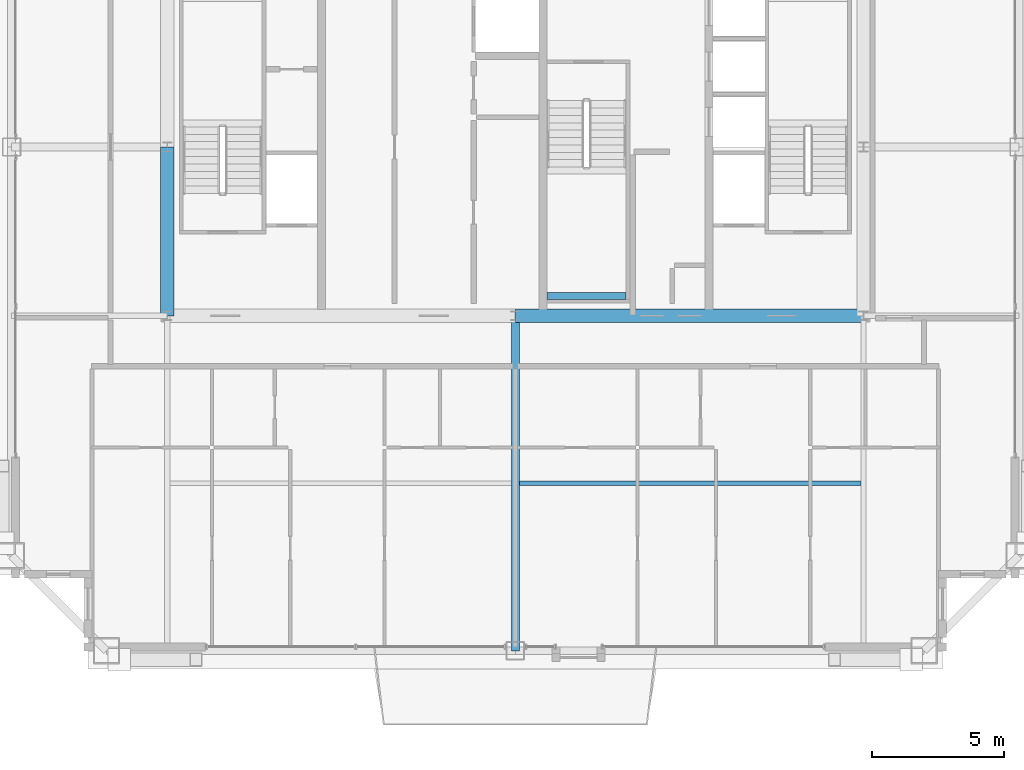
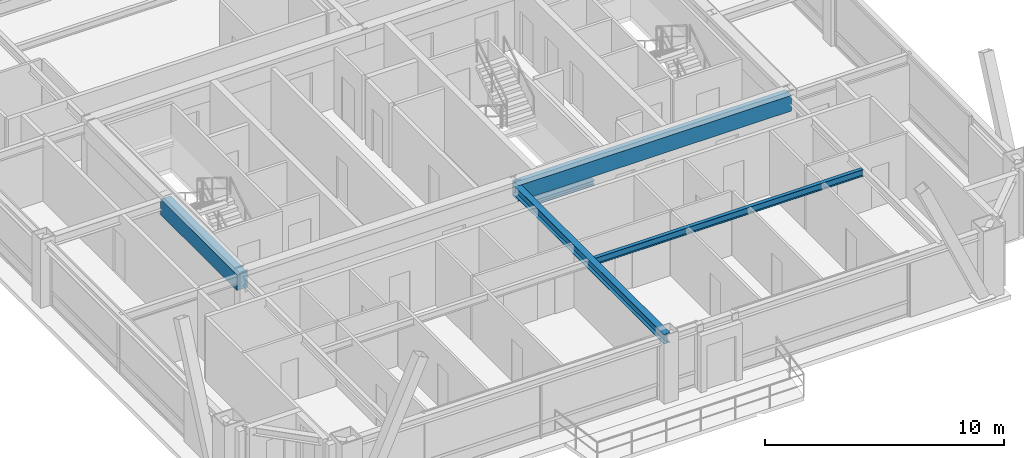
# One storey, part 10 of 34: 5 beams.
"""IFC4 building model written with IfcOpenShell, lengths in metres."""

import ifcopenshell
import ifcopenshell.guid

model = None  # the IFC model being written
_history = None  # IfcOwnerHistory: only IFC2X3 demands one
_inside = {}  # id of a spatial element -> (the spatial element, [elements in it])
_under = {}  # id of a project, library or spatial element -> (it, [spatial elements below it])
_declared = {}  # id of a project -> (the project, [libraries it declares])
_typed = {}  # id of a type object -> (the type object, [elements of that type])
_made_of = {}  # id of a material, layer set ... -> (it, [elements and type objects made of it])


def new_model(schema):
    """Start an empty IFC model of exactly this schema.

    Asked for "IFC4X3", IfcOpenShell would pick the latest addendum, in which some entities
    have other attributes; the version numbers below select the first issue.
    IFC2X3 requires an IfcOwnerHistory on every rooted entity: one is made here for all.
    """
    global model, _history
    if schema == "IFC4X3":
        model = ifcopenshell.file(schema_version=(4, 3, 0, 0))
    else:
        model = ifcopenshell.file(schema=schema)
    _inside.clear()
    _under.clear()
    _declared.clear()
    _typed.clear()
    _made_of.clear()
    _history = None
    if model.schema == "IFC2X3":
        org = make("IfcOrganization", Name="unknown")
        user = make(
            "IfcPersonAndOrganization",
            ThePerson=make("IfcPerson", FamilyName="unknown"),
            TheOrganization=org,
        )
        app = make(
            "IfcApplication",
            ApplicationDeveloper=org,
            Version="unknown",
            ApplicationFullName="unknown",
            ApplicationIdentifier="unknown",
        )
        _history = make(
            "IfcOwnerHistory",
            OwningUser=user,
            OwningApplication=app,
            ChangeAction="ADDED",
            CreationDate=0,
        )
    return model


def make(cls, **values):
    """One entity of the class cls with the attributes given. An attribute that is None is left unset."""
    return model.create_entity(
        cls, **{name: value for name, value in values.items() if value is not None}
    )


def rooted(cls, **values):
    """An entity with a GlobalId (a new one), such as an element, a storey or a relation."""
    return make(cls, GlobalId=ifcopenshell.guid.new(), OwnerHistory=_history, **values)


def si_unit(unit_type, name, prefix=None):
    """IfcSIUnit, for example si_unit("LENGTHUNIT", "METRE", prefix="MILLI")."""
    return make("IfcSIUnit", UnitType=unit_type, Prefix=prefix, Name=name)


def assignment(units):
    """IfcUnitAssignment: the units of a project."""
    return None if units is None else make("IfcUnitAssignment", Units=units)


def point(xyz):
    """IfcCartesianPoint."""
    return None if xyz is None else make("IfcCartesianPoint", Coordinates=xyz)


def direction(xyz):
    """IfcDirection."""
    return None if xyz is None else make("IfcDirection", DirectionRatios=xyz)


def frame(location, z_axis=None, x_axis=None):
    """IfcAxis2Placement3D, a coordinate frame: its origin and axes. An axis left out is left unset."""
    return make(
        "IfcAxis2Placement3D",
        Location=point(location),
        Axis=direction(z_axis),
        RefDirection=direction(x_axis),
    )


def frame_2d(location, x_axis=None):
    """IfcAxis2Placement2D, a coordinate frame in the plane: its origin and x axis."""
    return make(
        "IfcAxis2Placement2D", Location=point(location), RefDirection=direction(x_axis)
    )


def origin():
    """The frame at (0, 0, 0) with its axes left unset."""
    return frame((0.0, 0.0, 0.0))


def origin_2d():
    """The frame at (0, 0) in the plane with its x axis left unset."""
    return frame_2d((0.0, 0.0))


def place(relative_to, where):
    """IfcLocalPlacement: puts the frame where relative to a parent placement (None: the world)."""
    return make(
        "IfcLocalPlacement", PlacementRelTo=relative_to, RelativePlacement=where
    )


def context(
    kind, dimensions, precision=None, world=None, true_north=None, identifier=None
):
    """IfcGeometricRepresentationContext, for example the 3D "Model" context."""
    return make(
        "IfcGeometricRepresentationContext",
        ContextIdentifier=identifier,
        ContextType=kind,
        CoordinateSpaceDimension=dimensions,
        Precision=precision,
        WorldCoordinateSystem=world,
        TrueNorth=true_north,
    )


def subcontext(parent, identifier, kind, view, scale=None):
    """IfcGeometricRepresentationSubContext, for example "Body" below "Model"."""
    return make(
        "IfcGeometricRepresentationSubContext",
        ContextIdentifier=identifier,
        ContextType=kind,
        ParentContext=parent,
        TargetScale=scale,
        TargetView=view,
    )


def project(units=None, contexts=None):
    """IfcProject with its units and contexts."""
    return rooted(
        "IfcProject",
        Name="project",
        RepresentationContexts=contexts,
        UnitsInContext=assignment(units),
    )


def spatial(cls, under=None, at=None, **own):
    """A site, building, storey or space (cls), placed at a placement, below another one or the project."""
    s = rooted(cls, ObjectPlacement=at, **own)
    if under is not None:
        _under.setdefault(under.id(), (under, []))[1].append(s)
    return s


def profile(cls, at=None, kind="AREA", **sizes):
    """A parametric profile (cls). Its sizes go by their IFC names, for example OverallWidth=200.0."""
    return make(cls, ProfileType=kind, Position=at, **sizes)


def rectangle(**sizes):
    """IfcRectangleProfileDef."""
    return profile("IfcRectangleProfileDef", **sizes)


def i_section(**sizes):
    """IfcIShapeProfileDef."""
    return profile("IfcIShapeProfileDef", **sizes)


def extrude(swept, where, along, depth):
    """IfcExtrudedAreaSolid: the profile swept, set in the frame where, extruded along a direction by depth."""
    return make(
        "IfcExtrudedAreaSolid",
        SweptArea=swept,
        Position=where,
        ExtrudedDirection=direction(along),
        Depth=depth,
    )


def shape(context_of_items, identifier, shape_type, items):
    """IfcShapeRepresentation: the items that make up one representation, for example the "Body"."""
    return make(
        "IfcShapeRepresentation",
        ContextOfItems=context_of_items,
        RepresentationIdentifier=identifier,
        RepresentationType=shape_type,
        Items=items,
    )


def source(mapping_origin, context_of_items, identifier, shape_type, items):
    """IfcRepresentationMap: a shape defined once, which mapped items show again and again."""
    return make(
        "IfcRepresentationMap",
        MappingOrigin=mapping_origin,
        MappedRepresentation=shape(context_of_items, identifier, shape_type, items),
    )


def transform(
    local_origin,
    x_axis=None,
    y_axis=None,
    z_axis=None,
    scale=None,
    scale2=None,
    scale3=None,
    uniform=True,
):
    """IfcCartesianTransformationOperator3D, or its non-uniform kind. x_axis, y_axis, z_axis: its Axis1, 2, 3."""
    if uniform:
        return make(
            "IfcCartesianTransformationOperator3D",
            Axis1=direction(x_axis),
            Axis2=direction(y_axis),
            LocalOrigin=point(local_origin),
            Scale=scale,
            Axis3=direction(z_axis),
        )
    return make(
        "IfcCartesianTransformationOperator3DnonUniform",
        Axis1=direction(x_axis),
        Axis2=direction(y_axis),
        LocalOrigin=point(local_origin),
        Scale=scale,
        Axis3=direction(z_axis),
        Scale2=scale2,
        Scale3=scale3,
    )


def mapped(mapping_source, mapping_target):
    """IfcMappedItem: shows the shape of a source again, moved by a transform."""
    return make(
        "IfcMappedItem", MappingSource=mapping_source, MappingTarget=mapping_target
    )


def material(Name=None, Category=None):
    """IfcMaterial."""
    return make("IfcMaterial", Name=Name, Category=Category)


def material_profile(
    of_material, cross_section, Name=None, Category=None, Priority=None
):
    """IfcMaterialProfile: a cross section and its material."""
    return make(
        "IfcMaterialProfile",
        Name=Name,
        Material=of_material,
        Profile=cross_section,
        Priority=Priority,
        Category=Category,
    )


def profile_set(profiles, Name=None, composite=None):
    """IfcMaterialProfileSet."""
    return make(
        "IfcMaterialProfileSet",
        Name=Name,
        MaterialProfiles=profiles,
        CompositeProfile=composite,
    )


def made_of(thing, what):
    """Note that an element or type object is made of a material, layer set ...; save() writes the relation."""
    if what is not None:
        _made_of.setdefault(what.id(), (what, []))[1].append(thing)
    return thing


def type_object(cls, material=None, **own):
    """A type object (cls), such as IfcWallType, which elements share."""
    return made_of(rooted(cls, **own), material)


def element(
    cls,
    number,
    at=None,
    inside=None,
    cuts=None,
    type_object=None,
    material=None,
    context=None,
    identifier="Body",
    shape_type=None,
    held_by="IfcProductDefinitionShape",
    body=None,
    shapes=None,
    **own,
):
    """One element of the class cls, such as IfcWall. Its Tag is "e" and its number.

    at: its placement. inside: the storey or other place that contains it. cuts: it is an
    opening in that element (IfcRelVoidsElement). A single representation is given by context,
    identifier, shape_type and body (its items); several are given by shapes. held_by: the class
    of the entity that holds the representations. save() writes the other relations.
    """
    e = rooted(cls, Tag="e%d" % number, ObjectPlacement=at, **own)
    if body is not None:
        shapes = [shape(context, identifier, shape_type, body)]
    if shapes is not None:
        e.Representation = make(held_by, Representations=shapes)
    if inside is not None:
        _inside.setdefault(inside.id(), (inside, []))[1].append(e)
    if cuts is not None:
        rooted(
            "IfcRelVoidsElement", RelatingBuildingElement=cuts, RelatedOpeningElement=e
        )
    if type_object is not None:
        _typed.setdefault(type_object.id(), (type_object, []))[1].append(e)
    return made_of(e, material)


def aggregate(whole, parts):
    """IfcRelAggregates: a whole, such as a stair, and the parts it consists of."""
    return rooted("IfcRelAggregates", RelatingObject=whole, RelatedObjects=parts)


def save(model, path):
    """Write the relations noted so far, then the file.

    IfcRelAggregates (storeys below a building ...), IfcRelContainedInSpatialStructure (elements
    in a storey), IfcRelDefinesByType, IfcRelAssociatesMaterial and IfcRelDeclares: one each for
    every whole, place, type object, material and project.
    """
    for whole, parts in _under.values():
        aggregate(whole, parts)
    for where, things in _inside.values():
        rooted(
            "IfcRelContainedInSpatialStructure",
            RelatedElements=things,
            RelatingStructure=where,
        )
    for kind, things in _typed.values():
        rooted("IfcRelDefinesByType", RelatedObjects=things, RelatingType=kind)
    for what, things in _made_of.values():
        rooted("IfcRelAssociatesMaterial", RelatedObjects=things, RelatingMaterial=what)
    for by, libraries in _declared.values():
        rooted("IfcRelDeclares", RelatingContext=by, RelatedDefinitions=libraries)
    model.write(path)


model = new_model("IFC4")

# Units and contexts
model_context = context("Model", 3, precision=1e-05, world=origin(), true_north=direction((0.0, 1.0)))
body_context = subcontext(model_context, "Body", "Model", "MODEL_VIEW")
ifc_project = project(units=[si_unit("LENGTHUNIT", "METRE"), si_unit("AREAUNIT", "SQUARE_METRE"), si_unit("VOLUMEUNIT", "CUBIC_METRE"), si_unit("PLANEANGLEUNIT", "RADIAN"), si_unit("MASSUNIT", "GRAM", prefix="KILO"), si_unit("THERMODYNAMICTEMPERATUREUNIT", "KELVIN"), si_unit("POWERUNIT", "WATT")], contexts=[model_context])

# Site, building, storey
site_placement = place(None, origin())
site = spatial("IfcSite", under=ifc_project, at=site_placement, CompositionType="ELEMENT")
building_placement = place(site_placement, origin())
building = spatial("IfcBuilding", under=site, at=building_placement, Name="Yuzanri Waterfront Tower", CompositionType="ELEMENT")
storey_placement = place(building_placement, frame((0.0, 0.0, 328.699951171875)))
storey = spatial("IfcBuildingStorey", under=building, at=storey_placement, Name="L88", CompositionType="ELEMENT", Elevation=328.699951171875)

# Beams
ifc_material_1 = material(Name="Concrete C50", Category="concrete")
ifc_material_profile_1 = material_profile(ifc_material_1, rectangle(XDim=0.5, YDim=0.800048828125, at=origin_2d()), Name="RC 500x800")
ifc_profile_set_1 = profile_set([ifc_material_profile_1], Name="Concrete C50")
beam_type_1 = type_object("IfcBeamType", Name="Core Coupling Lintel Concrete C50 500x800", PredefinedType="LINTEL", material=ifc_profile_set_1)
shared_shape_1 = source(origin(), body_context, "Body", "SweptSolid", [
    extrude(rectangle(XDim=0.5, YDim=0.800048828125, at=origin_2d()), origin(), (0.0, 0.0, 1.0), 13.199951171875),
])
beam_1_placement = place(storey_placement, frame((37.0, 19.39990234375, 2.880126953125), z_axis=(1.0, 0.0, 0.0), x_axis=(0.0, 1.0, 0.0)))
element("IfcBeam", 1, at=beam_1_placement, inside=storey, type_object=beam_type_1, Name="L88 Core Tie Beam CS2", PredefinedType="LINTEL", context=body_context, shape_type="MappedRepresentation", body=[
    mapped(shared_shape_1, transform((0.0, 0.0, 0.0), scale=1.0)),
])
shared_shape_2 = source(origin(), body_context, "Body", "SweptSolid", [
    extrude(rectangle(XDim=0.5, YDim=0.800048828125, at=origin_2d()), origin(), (0.0, 0.0, 1.0), 6.400146484375),
])
beam_2_placement = place(storey_placement, frame((23.800048828125, 19.39990234375, 2.880126953125), z_axis=(0.0, 1.0, 0.0), x_axis=(-1.0, 0.0, 0.0)))
element("IfcBeam", 2, at=beam_2_placement, inside=storey, type_object=beam_type_1, Name="L88 Core Tie Beam CW1", PredefinedType="LINTEL", context=body_context, shape_type="MappedRepresentation", body=[
    mapped(shared_shape_2, transform((0.0, 0.0, 0.0), scale=1.0)),
])
ifc_material_2 = material(Name="Steel Q355B", Category="steel")
ifc_material_profile_2 = material_profile(ifc_material_2, i_section(OverallWidth=0.175048828125, OverallDepth=0.35009765625, WebThickness=0.007080078125, FlangeThickness=0.010986328125, at=origin_2d()), Name="HN 350x175x7x11")
ifc_profile_set_2 = profile_set([ifc_material_profile_2], Name="Steel Q355B")
beam_type_2 = type_object("IfcBeamType", Name="Floor Joist Q355B HN 350x175", PredefinedType="JOIST", material=ifc_profile_set_2)
shared_shape_3 = source(origin(), body_context, "Body", "SweptSolid", [
    extrude(i_section(OverallWidth=0.175048828125, OverallDepth=0.35009765625, WebThickness=0.007080078125, FlangeThickness=0.010986328125, at=origin_2d()), origin(), (0.0, 0.0, 1.0), 12.9501953125),
])
beam_3_placement = place(storey_placement, frame((37.14990234375, 13.050048828125, 3.10498046875), z_axis=(1.0, 0.0, 0.0), x_axis=(0.0, 1.0, 0.0)))
element("IfcBeam", 3, at=beam_3_placement, inside=storey, type_object=beam_type_2, Name="L88 South Bay Joist E", PredefinedType="JOIST", context=body_context, shape_type="MappedRepresentation", body=[
    mapped(shared_shape_3, transform((0.0, 0.0, 0.0), scale=1.0)),
])
ifc_material_3 = material(Name="Steel Q355B", Category="steel")
ifc_material_profile_3 = material_profile(ifc_material_3, i_section(OverallWidth=0.300048828125, OverallDepth=0.488037109375, WebThickness=0.010986328125, FlangeThickness=0.01806640625, at=origin_2d()), Name="HM 488x300x11x18")
ifc_profile_set_3 = profile_set([ifc_material_profile_3], Name="Steel Q355B")
beam_type_3 = type_object("IfcBeamType", Name="Primary Floor Girder Q355B HM 488x300", PredefinedType="BEAM", material=ifc_profile_set_3)
shared_shape_4 = source(origin(), body_context, "Body", "SweptSolid", [
    extrude(i_section(OverallWidth=0.300048828125, OverallDepth=0.488037109375, WebThickness=0.010986328125, FlangeThickness=0.01806640625, at=origin_2d()), origin(), (0.0, 0.0, 1.0), 12.699951171875),
])
beam_4_placement = place(storey_placement, frame((37.0, 19.39990234375, 3.0361328125), z_axis=(0.0, -1.0, 0.0), x_axis=(1.0, 0.0, 0.0)))
element("IfcBeam", 4, at=beam_4_placement, inside=storey, type_object=beam_type_3, Name="L88 South Grid Girder", PredefinedType="BEAM", context=body_context, shape_type="MappedRepresentation", body=[
    mapped(shared_shape_4, transform((0.0, 0.0, 0.0), scale=1.0)),
])
ifc_material_4 = material(Name="Steel Q355B", Category="steel")
ifc_material_profile_4 = material_profile(ifc_material_4, i_section(OverallWidth=0.25, OverallDepth=0.25, WebThickness=0.009033203125, FlangeThickness=0.013916015625, at=origin_2d()), Name="HW 250x250x9x14")
ifc_profile_set_4 = profile_set([ifc_material_profile_4], Name="Steel Q355B")
beam_type_4 = type_object("IfcBeamType", Name="Stair Landing Support Beam Q355B HW 250x250", PredefinedType="BEAM", material=ifc_profile_set_4)
shared_shape_5 = source(origin(), body_context, "Body", "SweptSolid", [
    extrude(i_section(OverallWidth=0.25, OverallDepth=0.25, WebThickness=0.009033203125, FlangeThickness=0.013916015625, at=origin_2d()), origin(), (0.0, 0.0, 1.0), 3.0),
])
beam_5_placement = place(storey_placement, frame((38.199951171875, 20.14990234375, 1.425048828125), z_axis=(1.0, 0.0, 0.0), x_axis=(0.0, 1.0, 0.0)))
element("IfcBeam", 5, at=beam_5_placement, inside=storey, type_object=beam_type_4, Name="L88 Stair Landing Support Beam ST-03-L88-L1-1", PredefinedType="BEAM", context=body_context, shape_type="MappedRepresentation", body=[
    mapped(shared_shape_5, transform((0.0, 0.0, 0.0), scale=1.0)),
])

save(model, "model.ifc")
